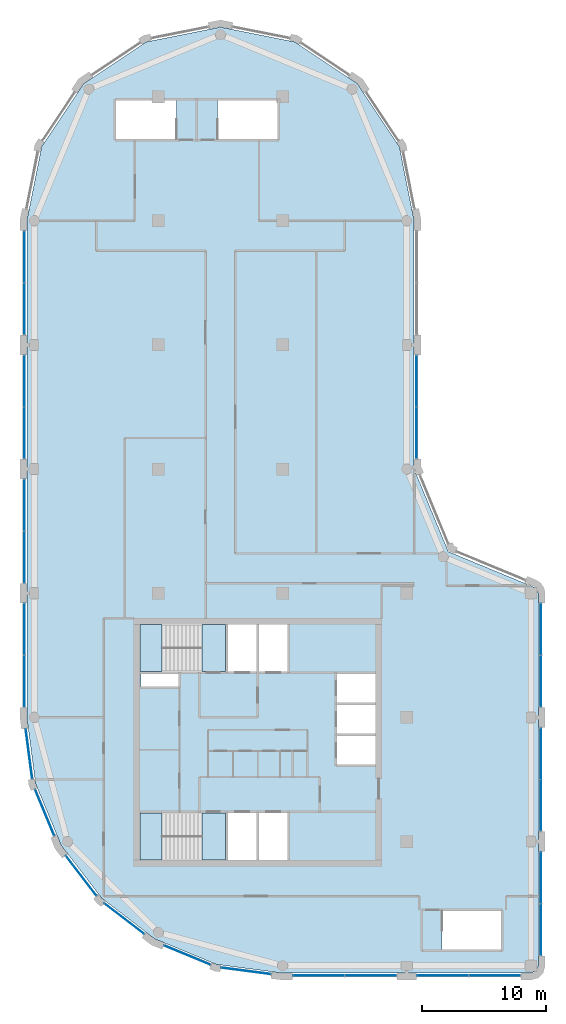
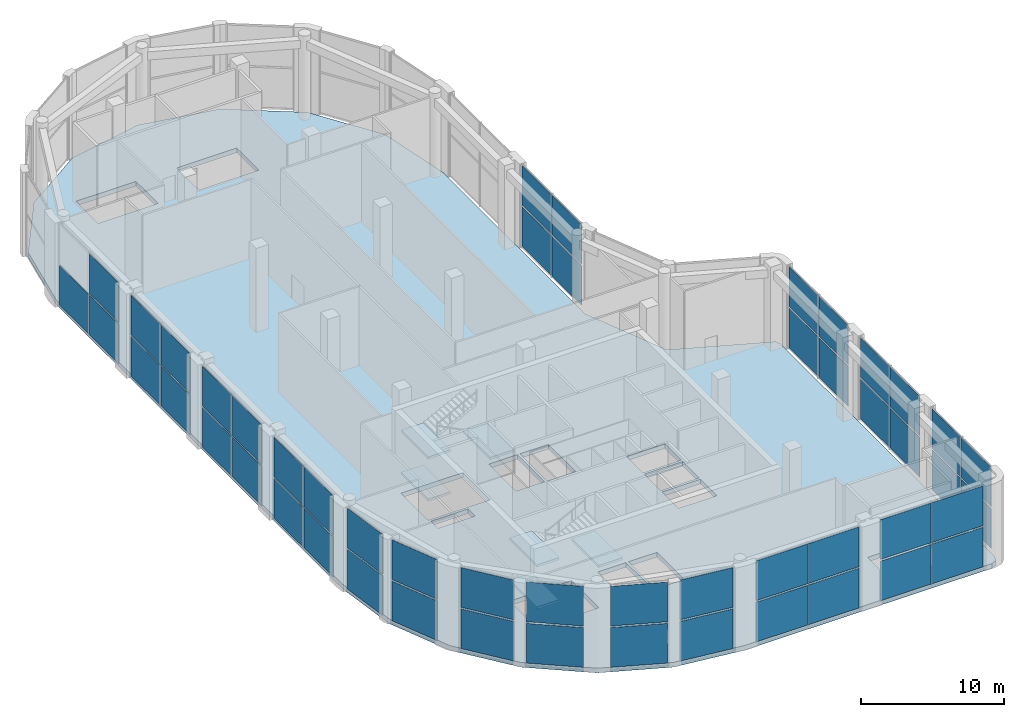
# One storey, part 9 of 14: 51 plates, 7 slabs, 18 elements without a shape of their own.
"""IFC4 building model written with IfcOpenShell, lengths in metres."""

import ifcopenshell
import ifcopenshell.guid

model = None  # the IFC model being written
_history = None  # IfcOwnerHistory: only IFC2X3 demands one
_inside = {}  # id of a spatial element -> (the spatial element, [elements in it])
_under = {}  # id of a project, library or spatial element -> (it, [spatial elements below it])
_declared = {}  # id of a project -> (the project, [libraries it declares])
_typed = {}  # id of a type object -> (the type object, [elements of that type])
_made_of = {}  # id of a material, layer set ... -> (it, [elements and type objects made of it])


def new_model(schema):
    """Start an empty IFC model of exactly this schema.

    Asked for "IFC4X3", IfcOpenShell would pick the latest addendum, in which some entities
    have other attributes; the version numbers below select the first issue.
    IFC2X3 requires an IfcOwnerHistory on every rooted entity: one is made here for all.
    """
    global model, _history
    if schema == "IFC4X3":
        model = ifcopenshell.file(schema_version=(4, 3, 0, 0))
    else:
        model = ifcopenshell.file(schema=schema)
    _inside.clear()
    _under.clear()
    _declared.clear()
    _typed.clear()
    _made_of.clear()
    _history = None
    if model.schema == "IFC2X3":
        org = make("IfcOrganization", Name="unknown")
        user = make(
            "IfcPersonAndOrganization",
            ThePerson=make("IfcPerson", FamilyName="unknown"),
            TheOrganization=org,
        )
        app = make(
            "IfcApplication",
            ApplicationDeveloper=org,
            Version="unknown",
            ApplicationFullName="unknown",
            ApplicationIdentifier="unknown",
        )
        _history = make(
            "IfcOwnerHistory",
            OwningUser=user,
            OwningApplication=app,
            ChangeAction="ADDED",
            CreationDate=0,
        )
    return model


def make(cls, **values):
    """One entity of the class cls with the attributes given. An attribute that is None is left unset."""
    return model.create_entity(
        cls, **{name: value for name, value in values.items() if value is not None}
    )


def rooted(cls, **values):
    """An entity with a GlobalId (a new one), such as an element, a storey or a relation."""
    return make(cls, GlobalId=ifcopenshell.guid.new(), OwnerHistory=_history, **values)


def si_unit(unit_type, name, prefix=None):
    """IfcSIUnit, for example si_unit("LENGTHUNIT", "METRE", prefix="MILLI")."""
    return make("IfcSIUnit", UnitType=unit_type, Prefix=prefix, Name=name)


def assignment(units):
    """IfcUnitAssignment: the units of a project."""
    return None if units is None else make("IfcUnitAssignment", Units=units)


def point(xyz):
    """IfcCartesianPoint."""
    return None if xyz is None else make("IfcCartesianPoint", Coordinates=xyz)


def direction(xyz):
    """IfcDirection."""
    return None if xyz is None else make("IfcDirection", DirectionRatios=xyz)


def frame(location, z_axis=None, x_axis=None):
    """IfcAxis2Placement3D, a coordinate frame: its origin and axes. An axis left out is left unset."""
    return make(
        "IfcAxis2Placement3D",
        Location=point(location),
        Axis=direction(z_axis),
        RefDirection=direction(x_axis),
    )


def frame_2d(location, x_axis=None):
    """IfcAxis2Placement2D, a coordinate frame in the plane: its origin and x axis."""
    return make(
        "IfcAxis2Placement2D", Location=point(location), RefDirection=direction(x_axis)
    )


def origin():
    """The frame at (0, 0, 0) with its axes left unset."""
    return frame((0.0, 0.0, 0.0))


def origin_2d():
    """The frame at (0, 0) in the plane with its x axis left unset."""
    return frame_2d((0.0, 0.0))


def place(relative_to, where):
    """IfcLocalPlacement: puts the frame where relative to a parent placement (None: the world)."""
    return make(
        "IfcLocalPlacement", PlacementRelTo=relative_to, RelativePlacement=where
    )


def context(
    kind, dimensions, precision=None, world=None, true_north=None, identifier=None
):
    """IfcGeometricRepresentationContext, for example the 3D "Model" context."""
    return make(
        "IfcGeometricRepresentationContext",
        ContextIdentifier=identifier,
        ContextType=kind,
        CoordinateSpaceDimension=dimensions,
        Precision=precision,
        WorldCoordinateSystem=world,
        TrueNorth=true_north,
    )


def subcontext(parent, identifier, kind, view, scale=None):
    """IfcGeometricRepresentationSubContext, for example "Body" below "Model"."""
    return make(
        "IfcGeometricRepresentationSubContext",
        ContextIdentifier=identifier,
        ContextType=kind,
        ParentContext=parent,
        TargetScale=scale,
        TargetView=view,
    )


def project(units=None, contexts=None):
    """IfcProject with its units and contexts."""
    return rooted(
        "IfcProject",
        Name="project",
        RepresentationContexts=contexts,
        UnitsInContext=assignment(units),
    )


def spatial(cls, under=None, at=None, **own):
    """A site, building, storey or space (cls), placed at a placement, below another one or the project."""
    s = rooted(cls, ObjectPlacement=at, **own)
    if under is not None:
        _under.setdefault(under.id(), (under, []))[1].append(s)
    return s


def polyline(points):
    """IfcPolyline through the points."""
    return make("IfcPolyline", Points=[point(p) for p in points])


def profile(cls, at=None, kind="AREA", **sizes):
    """A parametric profile (cls). Its sizes go by their IFC names, for example OverallWidth=200.0."""
    return make(cls, ProfileType=kind, Position=at, **sizes)


def rectangle(**sizes):
    """IfcRectangleProfileDef."""
    return profile("IfcRectangleProfileDef", **sizes)


def outline(outer, holes=None, kind="AREA"):
    """IfcArbitraryClosedProfileDef: a profile drawn as a closed curve; with holes, ...WithVoids."""
    if holes is None:
        return make("IfcArbitraryClosedProfileDef", ProfileType=kind, OuterCurve=outer)
    return make(
        "IfcArbitraryProfileDefWithVoids",
        ProfileType=kind,
        OuterCurve=outer,
        InnerCurves=holes,
    )


def extrude(swept, where, along, depth):
    """IfcExtrudedAreaSolid: the profile swept, set in the frame where, extruded along a direction by depth."""
    return make(
        "IfcExtrudedAreaSolid",
        SweptArea=swept,
        Position=where,
        ExtrudedDirection=direction(along),
        Depth=depth,
    )


def shape(context_of_items, identifier, shape_type, items):
    """IfcShapeRepresentation: the items that make up one representation, for example the "Body"."""
    return make(
        "IfcShapeRepresentation",
        ContextOfItems=context_of_items,
        RepresentationIdentifier=identifier,
        RepresentationType=shape_type,
        Items=items,
    )


def material(Name=None, Category=None):
    """IfcMaterial."""
    return make("IfcMaterial", Name=Name, Category=Category)


def layer(
    of_material, thickness, ventilated=None, Name=None, Category=None, Priority=None
):
    """IfcMaterialLayer: one layer of a wall or slab, of a material (None: an air gap)."""
    return make(
        "IfcMaterialLayer",
        Material=of_material,
        LayerThickness=thickness,
        IsVentilated=ventilated,
        Name=Name,
        Category=Category,
        Priority=Priority,
    )


def layer_set(layers, Name=None):
    """IfcMaterialLayerSet."""
    return make("IfcMaterialLayerSet", MaterialLayers=layers, LayerSetName=Name)


def made_of(thing, what):
    """Note that an element or type object is made of a material, layer set ...; save() writes the relation."""
    if what is not None:
        _made_of.setdefault(what.id(), (what, []))[1].append(thing)
    return thing


def type_object(cls, material=None, **own):
    """A type object (cls), such as IfcWallType, which elements share."""
    return made_of(rooted(cls, **own), material)


def element(
    cls,
    number,
    at=None,
    inside=None,
    cuts=None,
    type_object=None,
    material=None,
    context=None,
    identifier="Body",
    shape_type=None,
    held_by="IfcProductDefinitionShape",
    body=None,
    shapes=None,
    **own,
):
    """One element of the class cls, such as IfcWall. Its Tag is "e" and its number.

    at: its placement. inside: the storey or other place that contains it. cuts: it is an
    opening in that element (IfcRelVoidsElement). A single representation is given by context,
    identifier, shape_type and body (its items); several are given by shapes. held_by: the class
    of the entity that holds the representations. save() writes the other relations.
    """
    e = rooted(cls, Tag="e%d" % number, ObjectPlacement=at, **own)
    if body is not None:
        shapes = [shape(context, identifier, shape_type, body)]
    if shapes is not None:
        e.Representation = make(held_by, Representations=shapes)
    if inside is not None:
        _inside.setdefault(inside.id(), (inside, []))[1].append(e)
    if cuts is not None:
        rooted(
            "IfcRelVoidsElement", RelatingBuildingElement=cuts, RelatedOpeningElement=e
        )
    if type_object is not None:
        _typed.setdefault(type_object.id(), (type_object, []))[1].append(e)
    return made_of(e, material)


def aggregate(whole, parts):
    """IfcRelAggregates: a whole, such as a stair, and the parts it consists of."""
    return rooted("IfcRelAggregates", RelatingObject=whole, RelatedObjects=parts)


def save(model, path):
    """Write the relations noted so far, then the file.

    IfcRelAggregates (storeys below a building ...), IfcRelContainedInSpatialStructure (elements
    in a storey), IfcRelDefinesByType, IfcRelAssociatesMaterial and IfcRelDeclares: one each for
    every whole, place, type object, material and project.
    """
    for whole, parts in _under.values():
        aggregate(whole, parts)
    for where, things in _inside.values():
        rooted(
            "IfcRelContainedInSpatialStructure",
            RelatedElements=things,
            RelatingStructure=where,
        )
    for kind, things in _typed.values():
        rooted("IfcRelDefinesByType", RelatedObjects=things, RelatingType=kind)
    for what, things in _made_of.values():
        rooted("IfcRelAssociatesMaterial", RelatedObjects=things, RelatingMaterial=what)
    for by, libraries in _declared.values():
        rooted("IfcRelDeclares", RelatingContext=by, RelatedDefinitions=libraries)
    model.write(path)


model = new_model("IFC4")

# Units and contexts
model_context = context("Model", 3, precision=1e-05, world=origin(), true_north=direction((0.0, 1.0)))
body_context = subcontext(model_context, "Body", "Model", "MODEL_VIEW")
ifc_project = project(units=[si_unit("LENGTHUNIT", "METRE"), si_unit("AREAUNIT", "SQUARE_METRE"), si_unit("VOLUMEUNIT", "CUBIC_METRE"), si_unit("PLANEANGLEUNIT", "RADIAN"), si_unit("MASSUNIT", "GRAM", prefix="KILO")], contexts=[model_context])

# Site, building, storey
site_placement = place(None, origin())
site = spatial("IfcSite", under=ifc_project, at=site_placement, CompositionType="ELEMENT")
building_placement = place(site_placement, origin())
building = spatial("IfcBuilding", under=site, at=building_placement, Name="Qaws Garden Tower", CompositionType="ELEMENT")
storey_placement = place(building_placement, frame((0.0, 0.0, 358.199951171875)))
storey = spatial("IfcBuildingStorey", under=building, at=storey_placement, Name="L87", CompositionType="ELEMENT", Elevation=358.199951171875)

# Curtain wall, plates
ifc_material_1 = material(Name="Anodised aluminium curtain wall frame", Category="aluminium")
ifc_layer_1 = layer(ifc_material_1, 0.159912109375)
ifc_layer_set_1 = layer_set([ifc_layer_1], Name="Anodised aluminium curtain wall frame")
curtain_wall_type = type_object("IfcCurtainWallType", Name="CW3 observation glazing curtain wall", PredefinedType="NOTDEFINED", material=ifc_layer_set_1)
placement_1 = place(storey_placement, origin())
curtain_wall_1 = element("IfcCurtainWall", 1, at=placement_1, inside=storey, type_object=curtain_wall_type, Name="CW3 Observation glazing 00", PredefinedType="NOTDEFINED")
ifc_material_2 = material(Name="Clear laminated glass", Category="glass")
ifc_layer_2 = layer(ifc_material_2, 0.035888671875)
ifc_layer_set_2 = layer_set([ifc_layer_2], Name="Clear laminated glass")
plate_type = type_object("IfcPlateType", Name="CW3 glass panel 36", PredefinedType="CURTAIN_PANEL", material=ifc_layer_set_2)
plate_1_placement = place(storey_placement, frame((22.9150390625, -0.800048828125, 0.14013671875), z_axis=(0.0, 0.0, 1.0), x_axis=(1.0, 0.0, 0.0)))
plate_1 = element("IfcPlate", 2, at=plate_1_placement, type_object=plate_type, Name="CW3 panel 1.1", PredefinedType="CURTAIN_PANEL", context=body_context, shape_type="SweptSolid", body=[
    extrude(rectangle(XDim=4.110107421875, YDim=0.035888671875, at=origin_2d()), origin(), (0.0, 0.0, 1.0), 3.389892578125),
])
plate_2_placement = place(storey_placement, frame((22.9150390625, -0.800048828125, 3.669921875), z_axis=(0.0, 0.0, 1.0), x_axis=(1.0, 0.0, 0.0)))
plate_2 = element("IfcPlate", 3, at=plate_2_placement, type_object=plate_type, Name="CW3 panel 1.2", PredefinedType="CURTAIN_PANEL", context=body_context, shape_type="SweptSolid", body=[
    extrude(rectangle(XDim=4.110107421875, YDim=0.035888671875, at=origin_2d()), origin(), (0.0, 0.0, 1.0), 3.389892578125),
])
plate_3_placement = place(storey_placement, frame((27.0849609375, -0.800048828125, 0.14013671875), z_axis=(0.0, 0.0, 1.0), x_axis=(1.0, 0.0, 0.0)))
plate_3 = element("IfcPlate", 4, at=plate_3_placement, type_object=plate_type, Name="CW3 panel 2.1", PredefinedType="CURTAIN_PANEL", context=body_context, shape_type="SweptSolid", body=[
    extrude(rectangle(XDim=4.110107421875, YDim=0.035888671875, at=origin_2d()), origin(), (0.0, 0.0, 1.0), 3.389892578125),
])
plate_4_placement = place(storey_placement, frame((27.0849609375, -0.800048828125, 3.669921875), z_axis=(0.0, 0.0, 1.0), x_axis=(1.0, 0.0, 0.0)))
plate_4 = element("IfcPlate", 5, at=plate_4_placement, type_object=plate_type, Name="CW3 panel 2.2", PredefinedType="CURTAIN_PANEL", context=body_context, shape_type="SweptSolid", body=[
    extrude(rectangle(XDim=4.110107421875, YDim=0.035888671875, at=origin_2d()), origin(), (0.0, 0.0, 1.0), 3.389892578125),
])
aggregate(curtain_wall_1, [plate_1, plate_2, plate_3, plate_4])

curtain_wall_2 = element("IfcCurtainWall", 6, at=placement_1, inside=storey, type_object=curtain_wall_type, Name="CW3 Observation glazing 01", PredefinedType="NOTDEFINED")
plate_5_placement = place(storey_placement, frame((32.9150390625, -0.800048828125, 0.14013671875), z_axis=(0.0, 0.0, 1.0), x_axis=(1.0, 0.0, 0.0)))
plate_5 = element("IfcPlate", 7, at=plate_5_placement, type_object=plate_type, Name="CW3 panel 1.1", PredefinedType="CURTAIN_PANEL", context=body_context, shape_type="SweptSolid", body=[
    extrude(rectangle(XDim=4.110107421875, YDim=0.035888671875, at=origin_2d()), origin(), (0.0, 0.0, 1.0), 3.389892578125),
])
plate_6_placement = place(storey_placement, frame((32.9150390625, -0.800048828125, 3.669921875), z_axis=(0.0, 0.0, 1.0), x_axis=(1.0, 0.0, 0.0)))
plate_6 = element("IfcPlate", 8, at=plate_6_placement, type_object=plate_type, Name="CW3 panel 1.2", PredefinedType="CURTAIN_PANEL", context=body_context, shape_type="SweptSolid", body=[
    extrude(rectangle(XDim=4.110107421875, YDim=0.035888671875, at=origin_2d()), origin(), (0.0, 0.0, 1.0), 3.389892578125),
])
plate_7_placement = place(storey_placement, frame((37.0849609375, -0.800048828125, 0.14013671875), z_axis=(0.0, 0.0, 1.0), x_axis=(1.0, 0.0, 0.0)))
plate_7 = element("IfcPlate", 9, at=plate_7_placement, type_object=plate_type, Name="CW3 panel 2.1", PredefinedType="CURTAIN_PANEL", context=body_context, shape_type="SweptSolid", body=[
    extrude(rectangle(XDim=4.110107421875, YDim=0.035888671875, at=origin_2d()), origin(), (0.0, 0.0, 1.0), 3.389892578125),
])
plate_8_placement = place(storey_placement, frame((37.0849609375, -0.800048828125, 3.669921875), z_axis=(0.0, 0.0, 1.0), x_axis=(1.0, 0.0, 0.0)))
plate_8 = element("IfcPlate", 10, at=plate_8_placement, type_object=plate_type, Name="CW3 panel 2.2", PredefinedType="CURTAIN_PANEL", context=body_context, shape_type="SweptSolid", body=[
    extrude(rectangle(XDim=4.110107421875, YDim=0.035888671875, at=origin_2d()), origin(), (0.0, 0.0, 1.0), 3.389892578125),
])
aggregate(curtain_wall_2, [plate_5, plate_6, plate_7, plate_8])

curtain_wall_3 = element("IfcCurtainWall", 11, at=placement_1, inside=storey, type_object=curtain_wall_type, Name="CW3 Observation glazing 02", PredefinedType="NOTDEFINED")
plate_9_placement = place(storey_placement, frame((40.800048828125, 2.9150390625, 0.14013671875), z_axis=(0.0, 0.0, 1.0), x_axis=(0.0, 1.0, 0.0)))
plate_9 = element("IfcPlate", 12, at=plate_9_placement, type_object=plate_type, Name="CW3 panel 1.1", PredefinedType="CURTAIN_PANEL", context=body_context, shape_type="SweptSolid", body=[
    extrude(rectangle(XDim=4.110107421875, YDim=0.035888671875, at=origin_2d()), origin(), (0.0, 0.0, 1.0), 3.389892578125),
])
plate_10_placement = place(storey_placement, frame((40.800048828125, 2.9150390625, 3.669921875), z_axis=(0.0, 0.0, 1.0), x_axis=(0.0, 1.0, 0.0)))
plate_10 = element("IfcPlate", 13, at=plate_10_placement, type_object=plate_type, Name="CW3 panel 1.2", PredefinedType="CURTAIN_PANEL", context=body_context, shape_type="SweptSolid", body=[
    extrude(rectangle(XDim=4.110107421875, YDim=0.035888671875, at=origin_2d()), origin(), (0.0, 0.0, 1.0), 3.389892578125),
])
plate_11_placement = place(storey_placement, frame((40.800048828125, 7.0849609375, 0.14013671875), z_axis=(0.0, 0.0, 1.0), x_axis=(0.0, 1.0, 0.0)))
plate_11 = element("IfcPlate", 14, at=plate_11_placement, type_object=plate_type, Name="CW3 panel 2.1", PredefinedType="CURTAIN_PANEL", context=body_context, shape_type="SweptSolid", body=[
    extrude(rectangle(XDim=4.110107421875, YDim=0.035888671875, at=origin_2d()), origin(), (0.0, 0.0, 1.0), 3.389892578125),
])
plate_12_placement = place(storey_placement, frame((40.800048828125, 7.0849609375, 3.669921875), z_axis=(0.0, 0.0, 1.0), x_axis=(0.0, 1.0, 0.0)))
plate_12 = element("IfcPlate", 15, at=plate_12_placement, type_object=plate_type, Name="CW3 panel 2.2", PredefinedType="CURTAIN_PANEL", context=body_context, shape_type="SweptSolid", body=[
    extrude(rectangle(XDim=4.110107421875, YDim=0.035888671875, at=origin_2d()), origin(), (0.0, 0.0, 1.0), 3.389892578125),
])
aggregate(curtain_wall_3, [plate_9, plate_10, plate_11, plate_12])

curtain_wall_4 = element("IfcCurtainWall", 16, at=placement_1, inside=storey, type_object=curtain_wall_type, Name="CW3 Observation glazing 03", PredefinedType="NOTDEFINED")
plate_13_placement = place(storey_placement, frame((40.800048828125, 12.9150390625, 0.14013671875), z_axis=(0.0, 0.0, 1.0), x_axis=(0.0, 1.0, 0.0)))
plate_13 = element("IfcPlate", 17, at=plate_13_placement, type_object=plate_type, Name="CW3 panel 1.1", PredefinedType="CURTAIN_PANEL", context=body_context, shape_type="SweptSolid", body=[
    extrude(rectangle(XDim=4.110107421875, YDim=0.035888671875, at=origin_2d()), origin(), (0.0, 0.0, 1.0), 3.389892578125),
])
plate_14_placement = place(storey_placement, frame((40.800048828125, 12.9150390625, 3.669921875), z_axis=(0.0, 0.0, 1.0), x_axis=(0.0, 1.0, 0.0)))
plate_14 = element("IfcPlate", 18, at=plate_14_placement, type_object=plate_type, Name="CW3 panel 1.2", PredefinedType="CURTAIN_PANEL", context=body_context, shape_type="SweptSolid", body=[
    extrude(rectangle(XDim=4.110107421875, YDim=0.035888671875, at=origin_2d()), origin(), (0.0, 0.0, 1.0), 3.389892578125),
])
plate_15_placement = place(storey_placement, frame((40.800048828125, 17.0849609375, 0.14013671875), z_axis=(0.0, 0.0, 1.0), x_axis=(0.0, 1.0, 0.0)))
plate_15 = element("IfcPlate", 19, at=plate_15_placement, type_object=plate_type, Name="CW3 panel 2.1", PredefinedType="CURTAIN_PANEL", context=body_context, shape_type="SweptSolid", body=[
    extrude(rectangle(XDim=4.110107421875, YDim=0.035888671875, at=origin_2d()), origin(), (0.0, 0.0, 1.0), 3.389892578125),
])
plate_16_placement = place(storey_placement, frame((40.800048828125, 17.0849609375, 3.669921875), z_axis=(0.0, 0.0, 1.0), x_axis=(0.0, 1.0, 0.0)))
plate_16 = element("IfcPlate", 20, at=plate_16_placement, type_object=plate_type, Name="CW3 panel 2.2", PredefinedType="CURTAIN_PANEL", context=body_context, shape_type="SweptSolid", body=[
    extrude(rectangle(XDim=4.110107421875, YDim=0.035888671875, at=origin_2d()), origin(), (0.0, 0.0, 1.0), 3.389892578125),
])
aggregate(curtain_wall_4, [plate_13, plate_14, plate_15, plate_16])

curtain_wall_5 = element("IfcCurtainWall", 21, at=placement_1, inside=storey, type_object=curtain_wall_type, Name="CW3 Observation glazing 04", PredefinedType="NOTDEFINED")
plate_17_placement = place(storey_placement, frame((40.800048828125, 22.9150390625, 0.14013671875), z_axis=(0.0, 0.0, 1.0), x_axis=(0.0, 1.0, 0.0)))
plate_17 = element("IfcPlate", 22, at=plate_17_placement, type_object=plate_type, Name="CW3 panel 1.1", PredefinedType="CURTAIN_PANEL", context=body_context, shape_type="SweptSolid", body=[
    extrude(rectangle(XDim=4.110107421875, YDim=0.035888671875, at=origin_2d()), origin(), (0.0, 0.0, 1.0), 3.389892578125),
])
plate_18_placement = place(storey_placement, frame((40.800048828125, 22.9150390625, 3.669921875), z_axis=(0.0, 0.0, 1.0), x_axis=(0.0, 1.0, 0.0)))
plate_18 = element("IfcPlate", 23, at=plate_18_placement, type_object=plate_type, Name="CW3 panel 1.2", PredefinedType="CURTAIN_PANEL", context=body_context, shape_type="SweptSolid", body=[
    extrude(rectangle(XDim=4.110107421875, YDim=0.035888671875, at=origin_2d()), origin(), (0.0, 0.0, 1.0), 3.389892578125),
])
plate_19_placement = place(storey_placement, frame((40.800048828125, 27.0849609375, 0.14013671875), z_axis=(0.0, 0.0, 1.0), x_axis=(0.0, 1.0, 0.0)))
plate_19 = element("IfcPlate", 24, at=plate_19_placement, type_object=plate_type, Name="CW3 panel 2.1", PredefinedType="CURTAIN_PANEL", context=body_context, shape_type="SweptSolid", body=[
    extrude(rectangle(XDim=4.110107421875, YDim=0.035888671875, at=origin_2d()), origin(), (0.0, 0.0, 1.0), 3.389892578125),
])
plate_20_placement = place(storey_placement, frame((40.800048828125, 27.0849609375, 3.669921875), z_axis=(0.0, 0.0, 1.0), x_axis=(0.0, 1.0, 0.0)))
plate_20 = element("IfcPlate", 25, at=plate_20_placement, type_object=plate_type, Name="CW3 panel 2.2", PredefinedType="CURTAIN_PANEL", context=body_context, shape_type="SweptSolid", body=[
    extrude(rectangle(XDim=4.110107421875, YDim=0.035888671875, at=origin_2d()), origin(), (0.0, 0.0, 1.0), 3.389892578125),
])
aggregate(curtain_wall_5, [plate_17, plate_18, plate_19, plate_20])

curtain_wall_6 = element("IfcCurtainWall", 26, at=placement_1, inside=storey, type_object=curtain_wall_type, Name="CW3 Observation glazing 07", PredefinedType="NOTDEFINED")
plate_21_placement = place(storey_placement, frame((30.800048828125, 42.9150390625, 0.14013671875), z_axis=(0.0, 0.0, 1.0), x_axis=(0.0, 1.0, 0.0)))
plate_21 = element("IfcPlate", 27, at=plate_21_placement, type_object=plate_type, Name="CW3 panel 1.1", PredefinedType="CURTAIN_PANEL", context=body_context, shape_type="SweptSolid", body=[
    extrude(rectangle(XDim=4.110107421875, YDim=0.035888671875, at=origin_2d()), origin(), (0.0, 0.0, 1.0), 3.389892578125),
])
plate_22_placement = place(storey_placement, frame((30.800048828125, 42.9150390625, 3.669921875), z_axis=(0.0, 0.0, 1.0), x_axis=(0.0, 1.0, 0.0)))
plate_22 = element("IfcPlate", 28, at=plate_22_placement, type_object=plate_type, Name="CW3 panel 1.2", PredefinedType="CURTAIN_PANEL", context=body_context, shape_type="SweptSolid", body=[
    extrude(rectangle(XDim=4.110107421875, YDim=0.035888671875, at=origin_2d()), origin(), (0.0, 0.0, 1.0), 3.389892578125),
])
plate_23_placement = place(storey_placement, frame((30.800048828125, 47.0849609375, 0.14013671875), z_axis=(0.0, 0.0, 1.0), x_axis=(0.0, 1.0, 0.0)))
plate_23 = element("IfcPlate", 29, at=plate_23_placement, type_object=plate_type, Name="CW3 panel 2.1", PredefinedType="CURTAIN_PANEL", context=body_context, shape_type="SweptSolid", body=[
    extrude(rectangle(XDim=4.110107421875, YDim=0.035888671875, at=origin_2d()), origin(), (0.0, 0.0, 1.0), 3.389892578125),
])
plate_24_placement = place(storey_placement, frame((30.800048828125, 47.0849609375, 3.669921875), z_axis=(0.0, 0.0, 1.0), x_axis=(0.0, 1.0, 0.0)))
plate_24 = element("IfcPlate", 30, at=plate_24_placement, type_object=plate_type, Name="CW3 panel 2.2", PredefinedType="CURTAIN_PANEL", context=body_context, shape_type="SweptSolid", body=[
    extrude(rectangle(XDim=4.110107421875, YDim=0.035888671875, at=origin_2d()), origin(), (0.0, 0.0, 1.0), 3.389892578125),
])
aggregate(curtain_wall_6, [plate_21, plate_22, plate_23, plate_24])

curtain_wall_7 = element("IfcCurtainWall", 31, at=placement_1, inside=storey, type_object=curtain_wall_type, Name="CW3 Observation glazing 17", PredefinedType="NOTDEFINED")
plate_25_placement = place(storey_placement, frame((-0.800048828125, 57.0849609375, 0.14013671875), z_axis=(0.0, 0.0, 1.0), x_axis=(0.0, -1.0, 0.0)))
plate_25 = element("IfcPlate", 32, at=plate_25_placement, type_object=plate_type, Name="CW3 panel 1.1", PredefinedType="CURTAIN_PANEL", context=body_context, shape_type="SweptSolid", body=[
    extrude(rectangle(XDim=4.110107421875, YDim=0.035888671875, at=origin_2d()), origin(), (0.0, 0.0, 1.0), 3.389892578125),
])
plate_26_placement = place(storey_placement, frame((-0.800048828125, 52.9150390625, 0.14013671875), z_axis=(0.0, 0.0, 1.0), x_axis=(0.0, -1.0, 0.0)))
plate_26 = element("IfcPlate", 33, at=plate_26_placement, type_object=plate_type, Name="CW3 panel 2.1", PredefinedType="CURTAIN_PANEL", context=body_context, shape_type="SweptSolid", body=[
    extrude(rectangle(XDim=4.110107421875, YDim=0.035888671875, at=origin_2d()), origin(), (0.0, 0.0, 1.0), 3.389892578125),
])
plate_27_placement = place(storey_placement, frame((-0.800048828125, 52.9150390625, 3.669921875), z_axis=(0.0, 0.0, 1.0), x_axis=(0.0, -1.0, 0.0)))
plate_27 = element("IfcPlate", 34, at=plate_27_placement, type_object=plate_type, Name="CW3 panel 2.2", PredefinedType="CURTAIN_PANEL", context=body_context, shape_type="SweptSolid", body=[
    extrude(rectangle(XDim=4.110107421875, YDim=0.035888671875, at=origin_2d()), origin(), (0.0, 0.0, 1.0), 3.389892578125),
])
aggregate(curtain_wall_7, [plate_25, plate_26, plate_27])

curtain_wall_8 = element("IfcCurtainWall", 35, at=placement_1, inside=storey, type_object=curtain_wall_type, Name="CW3 Observation glazing 18", PredefinedType="NOTDEFINED")
plate_28_placement = place(storey_placement, frame((-0.800048828125, 47.0849609375, 0.14013671875), z_axis=(0.0, 0.0, 1.0), x_axis=(0.0, -1.0, 0.0)))
plate_28 = element("IfcPlate", 36, at=plate_28_placement, type_object=plate_type, Name="CW3 panel 1.1", PredefinedType="CURTAIN_PANEL", context=body_context, shape_type="SweptSolid", body=[
    extrude(rectangle(XDim=4.110107421875, YDim=0.035888671875, at=origin_2d()), origin(), (0.0, 0.0, 1.0), 3.389892578125),
])
plate_29_placement = place(storey_placement, frame((-0.800048828125, 47.0849609375, 3.669921875), z_axis=(0.0, 0.0, 1.0), x_axis=(0.0, -1.0, 0.0)))
plate_29 = element("IfcPlate", 37, at=plate_29_placement, type_object=plate_type, Name="CW3 panel 1.2", PredefinedType="CURTAIN_PANEL", context=body_context, shape_type="SweptSolid", body=[
    extrude(rectangle(XDim=4.110107421875, YDim=0.035888671875, at=origin_2d()), origin(), (0.0, 0.0, 1.0), 3.389892578125),
])
plate_30_placement = place(storey_placement, frame((-0.800048828125, 42.9150390625, 0.14013671875), z_axis=(0.0, 0.0, 1.0), x_axis=(0.0, -1.0, 0.0)))
plate_30 = element("IfcPlate", 38, at=plate_30_placement, type_object=plate_type, Name="CW3 panel 2.1", PredefinedType="CURTAIN_PANEL", context=body_context, shape_type="SweptSolid", body=[
    extrude(rectangle(XDim=4.110107421875, YDim=0.035888671875, at=origin_2d()), origin(), (0.0, 0.0, 1.0), 3.389892578125),
])
plate_31_placement = place(storey_placement, frame((-0.800048828125, 42.9150390625, 3.669921875), z_axis=(0.0, 0.0, 1.0), x_axis=(0.0, -1.0, 0.0)))
plate_31 = element("IfcPlate", 39, at=plate_31_placement, type_object=plate_type, Name="CW3 panel 2.2", PredefinedType="CURTAIN_PANEL", context=body_context, shape_type="SweptSolid", body=[
    extrude(rectangle(XDim=4.110107421875, YDim=0.035888671875, at=origin_2d()), origin(), (0.0, 0.0, 1.0), 3.389892578125),
])
aggregate(curtain_wall_8, [plate_28, plate_29, plate_30, plate_31])

curtain_wall_9 = element("IfcCurtainWall", 40, at=placement_1, inside=storey, type_object=curtain_wall_type, Name="CW3 Observation glazing 19", PredefinedType="NOTDEFINED")
plate_32_placement = place(storey_placement, frame((-0.800048828125, 37.0849609375, 0.14013671875), z_axis=(0.0, 0.0, 1.0), x_axis=(0.0, -1.0, 0.0)))
plate_32 = element("IfcPlate", 41, at=plate_32_placement, type_object=plate_type, Name="CW3 panel 1.1", PredefinedType="CURTAIN_PANEL", context=body_context, shape_type="SweptSolid", body=[
    extrude(rectangle(XDim=4.110107421875, YDim=0.035888671875, at=origin_2d()), origin(), (0.0, 0.0, 1.0), 3.389892578125),
])
plate_33_placement = place(storey_placement, frame((-0.800048828125, 37.0849609375, 3.669921875), z_axis=(0.0, 0.0, 1.0), x_axis=(0.0, -1.0, 0.0)))
plate_33 = element("IfcPlate", 42, at=plate_33_placement, type_object=plate_type, Name="CW3 panel 1.2", PredefinedType="CURTAIN_PANEL", context=body_context, shape_type="SweptSolid", body=[
    extrude(rectangle(XDim=4.110107421875, YDim=0.035888671875, at=origin_2d()), origin(), (0.0, 0.0, 1.0), 3.389892578125),
])
plate_34_placement = place(storey_placement, frame((-0.800048828125, 32.9150390625, 0.14013671875), z_axis=(0.0, 0.0, 1.0), x_axis=(0.0, -1.0, 0.0)))
plate_34 = element("IfcPlate", 43, at=plate_34_placement, type_object=plate_type, Name="CW3 panel 2.1", PredefinedType="CURTAIN_PANEL", context=body_context, shape_type="SweptSolid", body=[
    extrude(rectangle(XDim=4.110107421875, YDim=0.035888671875, at=origin_2d()), origin(), (0.0, 0.0, 1.0), 3.389892578125),
])
plate_35_placement = place(storey_placement, frame((-0.800048828125, 32.9150390625, 3.669921875), z_axis=(0.0, 0.0, 1.0), x_axis=(0.0, -1.0, 0.0)))
plate_35 = element("IfcPlate", 44, at=plate_35_placement, type_object=plate_type, Name="CW3 panel 2.2", PredefinedType="CURTAIN_PANEL", context=body_context, shape_type="SweptSolid", body=[
    extrude(rectangle(XDim=4.110107421875, YDim=0.035888671875, at=origin_2d()), origin(), (0.0, 0.0, 1.0), 3.389892578125),
])
aggregate(curtain_wall_9, [plate_32, plate_33, plate_34, plate_35])

curtain_wall_10 = element("IfcCurtainWall", 45, at=placement_1, inside=storey, type_object=curtain_wall_type, Name="CW3 Observation glazing 20", PredefinedType="NOTDEFINED")
plate_36_placement = place(storey_placement, frame((-0.800048828125, 27.0849609375, 0.14013671875), z_axis=(0.0, 0.0, 1.0), x_axis=(0.0, -1.0, 0.0)))
plate_36 = element("IfcPlate", 46, at=plate_36_placement, type_object=plate_type, Name="CW3 panel 1.1", PredefinedType="CURTAIN_PANEL", context=body_context, shape_type="SweptSolid", body=[
    extrude(rectangle(XDim=4.110107421875, YDim=0.035888671875, at=origin_2d()), origin(), (0.0, 0.0, 1.0), 3.389892578125),
])
plate_37_placement = place(storey_placement, frame((-0.800048828125, 27.0849609375, 3.669921875), z_axis=(0.0, 0.0, 1.0), x_axis=(0.0, -1.0, 0.0)))
plate_37 = element("IfcPlate", 47, at=plate_37_placement, type_object=plate_type, Name="CW3 panel 1.2", PredefinedType="CURTAIN_PANEL", context=body_context, shape_type="SweptSolid", body=[
    extrude(rectangle(XDim=4.110107421875, YDim=0.035888671875, at=origin_2d()), origin(), (0.0, 0.0, 1.0), 3.389892578125),
])
plate_38_placement = place(storey_placement, frame((-0.800048828125, 22.9150390625, 0.14013671875), z_axis=(0.0, 0.0, 1.0), x_axis=(0.0, -1.0, 0.0)))
plate_38 = element("IfcPlate", 48, at=plate_38_placement, type_object=plate_type, Name="CW3 panel 2.1", PredefinedType="CURTAIN_PANEL", context=body_context, shape_type="SweptSolid", body=[
    extrude(rectangle(XDim=4.110107421875, YDim=0.035888671875, at=origin_2d()), origin(), (0.0, 0.0, 1.0), 3.389892578125),
])
plate_39_placement = place(storey_placement, frame((-0.800048828125, 22.9150390625, 3.669921875), z_axis=(0.0, 0.0, 1.0), x_axis=(0.0, -1.0, 0.0)))
plate_39 = element("IfcPlate", 49, at=plate_39_placement, type_object=plate_type, Name="CW3 panel 2.2", PredefinedType="CURTAIN_PANEL", context=body_context, shape_type="SweptSolid", body=[
    extrude(rectangle(XDim=4.110107421875, YDim=0.035888671875, at=origin_2d()), origin(), (0.0, 0.0, 1.0), 3.389892578125),
])
aggregate(curtain_wall_10, [plate_36, plate_37, plate_38, plate_39])

curtain_wall_11 = element("IfcCurtainWall", 50, at=placement_1, inside=storey, type_object=curtain_wall_type, Name="CW3 Observation glazing 21", PredefinedType="NOTDEFINED")
plate_40_placement = place(storey_placement, frame((-0.419677734375, 17.0595703125, 0.14013671875), z_axis=(0.0, 0.0, 1.0), x_axis=(0.130526192047, -0.991444861397, 0.0)))
plate_40 = element("IfcPlate", 51, at=plate_40_placement, type_object=plate_type, Name="CW3 panel 1.1", PredefinedType="CURTAIN_PANEL", context=body_context, shape_type="SweptSolid", body=[
    extrude(rectangle(XDim=4.0009765625, YDim=0.035888671875, at=origin_2d()), origin(), (0.0, 0.0, 1.0), 3.389892578125),
])
plate_41_placement = place(storey_placement, frame((-0.419677734375, 17.0595703125, 3.669921875), z_axis=(0.0, 0.0, 1.0), x_axis=(0.130526192047, -0.991444861397, 0.0)))
plate_41 = element("IfcPlate", 52, at=plate_41_placement, type_object=plate_type, Name="CW3 panel 1.2", PredefinedType="CURTAIN_PANEL", context=body_context, shape_type="SweptSolid", body=[
    extrude(rectangle(XDim=4.0009765625, YDim=0.035888671875, at=origin_2d()), origin(), (0.0, 0.0, 1.0), 3.389892578125),
])
aggregate(curtain_wall_11, [plate_40, plate_41])

curtain_wall_12 = element("IfcCurtainWall", 53, at=placement_1, inside=storey, type_object=curtain_wall_type, Name="CW3 Observation glazing 22", PredefinedType="NOTDEFINED")
plate_42_placement = place(storey_placement, frame((0.845703125, 12.336669921875, 0.14013671875), z_axis=(0.0, 0.0, 1.0), x_axis=(0.382683432284, -0.923879532545, 0.0)))
plate_42 = element("IfcPlate", 54, at=plate_42_placement, type_object=plate_type, Name="CW3 panel 1.1", PredefinedType="CURTAIN_PANEL", context=body_context, shape_type="SweptSolid", body=[
    extrude(rectangle(XDim=4.0009765625, YDim=0.035888671875, at=origin_2d()), origin(), (0.0, 0.0, 1.0), 3.389892578125),
])
plate_43_placement = place(storey_placement, frame((0.845703125, 12.336669921875, 3.669921875), z_axis=(0.0, 0.0, 1.0), x_axis=(0.382683432284, -0.923879532545, 0.0)))
plate_43 = element("IfcPlate", 55, at=plate_43_placement, type_object=plate_type, Name="CW3 panel 1.2", PredefinedType="CURTAIN_PANEL", context=body_context, shape_type="SweptSolid", body=[
    extrude(rectangle(XDim=4.0009765625, YDim=0.035888671875, at=origin_2d()), origin(), (0.0, 0.0, 1.0), 3.389892578125),
])
aggregate(curtain_wall_12, [plate_42, plate_43])

curtain_wall_13 = element("IfcCurtainWall", 56, at=placement_1, inside=storey, type_object=curtain_wall_type, Name="CW3 Observation glazing 23", PredefinedType="NOTDEFINED")
plate_44_placement = place(storey_placement, frame((3.7861328125, 7.24365234375, 0.14013671875), z_axis=(0.0, 0.0, 1.0), x_axis=(0.608761428926, -0.793353340355, 0.0)))
plate_44 = element("IfcPlate", 57, at=plate_44_placement, type_object=plate_type, Name="CW3 panel 1.1", PredefinedType="CURTAIN_PANEL", context=body_context, shape_type="SweptSolid", body=[
    extrude(rectangle(XDim=4.0009765625, YDim=0.035888671875, at=origin_2d()), origin(), (0.0, 0.0, 1.0), 3.389892578125),
])
plate_45_placement = place(storey_placement, frame((3.7861328125, 7.24365234375, 3.669921875), z_axis=(0.0, 0.0, 1.0), x_axis=(0.608761428926, -0.793353340355, 0.0)))
plate_45 = element("IfcPlate", 58, at=plate_45_placement, type_object=plate_type, Name="CW3 panel 1.2", PredefinedType="CURTAIN_PANEL", context=body_context, shape_type="SweptSolid", body=[
    extrude(rectangle(XDim=4.0009765625, YDim=0.035888671875, at=origin_2d()), origin(), (0.0, 0.0, 1.0), 3.389892578125),
])
aggregate(curtain_wall_13, [plate_44, plate_45])

curtain_wall_14 = element("IfcCurtainWall", 59, at=placement_1, inside=storey, type_object=curtain_wall_type, Name="CW3 Observation glazing 24", PredefinedType="NOTDEFINED")
plate_46_placement = place(storey_placement, frame((7.24365234375, 3.7861328125, 0.14013671875), z_axis=(0.0, 0.0, 1.0), x_axis=(0.793353340355, -0.608761428926, 0.0)))
plate_46 = element("IfcPlate", 60, at=plate_46_placement, type_object=plate_type, Name="CW3 panel 1.1", PredefinedType="CURTAIN_PANEL", context=body_context, shape_type="SweptSolid", body=[
    extrude(rectangle(XDim=4.0009765625, YDim=0.035888671875, at=origin_2d()), origin(), (0.0, 0.0, 1.0), 3.389892578125),
])
plate_47_placement = place(storey_placement, frame((7.24365234375, 3.7861328125, 3.669921875), z_axis=(0.0, 0.0, 1.0), x_axis=(0.793353340355, -0.608761428926, 0.0)))
plate_47 = element("IfcPlate", 61, at=plate_47_placement, type_object=plate_type, Name="CW3 panel 1.2", PredefinedType="CURTAIN_PANEL", context=body_context, shape_type="SweptSolid", body=[
    extrude(rectangle(XDim=4.0009765625, YDim=0.035888671875, at=origin_2d()), origin(), (0.0, 0.0, 1.0), 3.389892578125),
])
aggregate(curtain_wall_14, [plate_46, plate_47])

curtain_wall_15 = element("IfcCurtainWall", 62, at=placement_1, inside=storey, type_object=curtain_wall_type, Name="CW3 Observation glazing 25", PredefinedType="NOTDEFINED")
plate_48_placement = place(storey_placement, frame((12.336669921875, 0.845703125, 0.14013671875), z_axis=(0.0, 0.0, 1.0), x_axis=(0.923879532545, -0.382683432284, 0.0)))
plate_48 = element("IfcPlate", 63, at=plate_48_placement, type_object=plate_type, Name="CW3 panel 1.1", PredefinedType="CURTAIN_PANEL", context=body_context, shape_type="SweptSolid", body=[
    extrude(rectangle(XDim=4.0009765625, YDim=0.035888671875, at=origin_2d()), origin(), (0.0, 0.0, 1.0), 3.389892578125),
])
plate_49_placement = place(storey_placement, frame((12.336669921875, 0.845703125, 3.669921875), z_axis=(0.0, 0.0, 1.0), x_axis=(0.923879532545, -0.382683432284, 0.0)))
plate_49 = element("IfcPlate", 64, at=plate_49_placement, type_object=plate_type, Name="CW3 panel 1.2", PredefinedType="CURTAIN_PANEL", context=body_context, shape_type="SweptSolid", body=[
    extrude(rectangle(XDim=4.0009765625, YDim=0.035888671875, at=origin_2d()), origin(), (0.0, 0.0, 1.0), 3.389892578125),
])
aggregate(curtain_wall_15, [plate_48, plate_49])

curtain_wall_16 = element("IfcCurtainWall", 65, at=placement_1, inside=storey, type_object=curtain_wall_type, Name="CW3 Observation glazing 26", PredefinedType="NOTDEFINED")
plate_50_placement = place(storey_placement, frame((17.0595703125, -0.419677734375, 0.14013671875), z_axis=(0.0, 0.0, 1.0), x_axis=(0.991444861397, -0.130526192047, 0.0)))
plate_50 = element("IfcPlate", 66, at=plate_50_placement, type_object=plate_type, Name="CW3 panel 1.1", PredefinedType="CURTAIN_PANEL", context=body_context, shape_type="SweptSolid", body=[
    extrude(rectangle(XDim=4.0009765625, YDim=0.035888671875, at=origin_2d()), origin(), (0.0, 0.0, 1.0), 3.389892578125),
])
plate_51_placement = place(storey_placement, frame((17.0595703125, -0.419677734375, 3.669921875), z_axis=(0.0, 0.0, 1.0), x_axis=(0.991444861397, -0.130526192047, 0.0)))
plate_51 = element("IfcPlate", 67, at=plate_51_placement, type_object=plate_type, Name="CW3 panel 1.2", PredefinedType="CURTAIN_PANEL", context=body_context, shape_type="SweptSolid", body=[
    extrude(rectangle(XDim=4.0009765625, YDim=0.035888671875, at=origin_2d()), origin(), (0.0, 0.0, 1.0), 3.389892578125),
])
aggregate(curtain_wall_16, [plate_50, plate_51])

# Slab
ifc_material_3 = material(Name="Concrete C45", Category="concrete")
ifc_layer_3 = layer(ifc_material_3, 0.39990234375)
ifc_layer_set_3 = layer_set([ifc_layer_3], Name="Concrete C45")
slab_type_1 = type_object("IfcSlabType", Name="Floor slab 400 C45", PredefinedType="FLOOR", material=ifc_layer_set_3)
slab_1_placement = place(storey_placement, frame((0.0, 0.0, -0.39990234375)))
element("IfcSlab", 68, at=slab_1_placement, inside=storey, type_object=slab_type_1, Name="Floor slab L87", PredefinedType="FLOOR", context=body_context, shape_type="SweptSolid", body=[
    extrude(outline(polyline([(0.101806640625, 14.668212890625), (-0.60009765625, 20.0), (-0.60009765625, 30.60009765625), (-0.60009765625, 60.0), (-0.60009765625, 60.0), (0.58740234375, 65.969970703125), (3.968994140625, 71.031005859375), (9.030029296875, 74.41259765625), (15.0, 75.60009765625), (20.969970703125, 74.41259765625), (26.031005859375, 71.031005859375), (29.41259765625, 65.969970703125), (30.60009765625, 60.0), (30.60009765625, 40.0), (33.353271484375, 33.353271484375), (40.0, 30.60009765625), (40.42431640625, 30.42431640625), (40.60009765625, 30.0), (40.60009765625, 0.0), (40.42431640625, -0.42431640625), (40.0, -0.60009765625), (30.60009765625, -0.60009765625), (20.0, -0.60009765625), (14.668212890625, 0.101806640625), (9.699951171875, 2.159912109375), (5.43359375, 5.43359375), (2.159912109375, 9.699951171875), (0.101806640625, 14.668212890625)]), holes=[polyline([(8.5, 12.300048828125), (8.5, 8.5), (13.49951171875, 8.5), (13.49951171875, 12.300048828125), (8.5, 12.300048828125)]), polyline([(17.89990234375, 12.300048828125), (15.60009765625, 12.300048828125), (15.60009765625, 8.5), (17.89990234375, 8.5), (17.89990234375, 12.300048828125)]), polyline([(11.60009765625, 23.5), (8.60009765625, 23.5), (8.60009765625, 22.5), (11.60009765625, 22.5), (11.60009765625, 23.5)]), polyline([(8.5, 27.5), (8.5, 23.699951171875), (13.49951171875, 23.699951171875), (13.49951171875, 27.5), (8.5, 27.5)]), polyline([(17.89990234375, 27.5), (15.60009765625, 27.5), (15.60009765625, 23.699951171875), (17.89990234375, 23.699951171875), (17.89990234375, 27.5)]), polyline([(11.449462890625, 69.699951171875), (6.60009765625, 69.699951171875), (6.60009765625, 66.60009765625), (11.449462890625, 66.60009765625), (11.449462890625, 69.699951171875)]), polyline([(14.75048828125, 69.699951171875), (14.75048828125, 66.60009765625), (19.60009765625, 66.60009765625), (19.60009765625, 69.699951171875), (14.75048828125, 69.699951171875)]), polyline([(37.60009765625, 4.39990234375), (32.8505859375, 4.39990234375), (32.8505859375, 1.300048828125), (37.60009765625, 1.300048828125), (37.60009765625, 4.39990234375)]), polyline([(20.39990234375, 12.300048828125), (18.10009765625, 12.300048828125), (18.10009765625, 8.5), (20.39990234375, 8.5), (20.39990234375, 12.300048828125)]), polyline([(27.5, 18.5), (24.39990234375, 18.5), (24.39990234375, 16.199951171875), (27.5, 16.199951171875), (27.5, 18.5)]), polyline([(27.5, 21.0), (24.39990234375, 21.0), (24.39990234375, 18.699951171875), (27.5, 18.699951171875), (27.5, 21.0)]), polyline([(27.5, 23.5), (24.39990234375, 23.5), (24.39990234375, 21.199951171875), (27.5, 21.199951171875), (27.5, 23.5)]), polyline([(20.39990234375, 27.5), (18.10009765625, 27.5), (18.10009765625, 23.699951171875), (20.39990234375, 23.699951171875), (20.39990234375, 27.5)])]), origin(), (0.0, 0.0, 1.0), 0.39990234375),
])

# Stair, slabs
ifc_material_4 = material(Name="Concrete C40", Category="concrete")
stair_type = type_object("IfcStairType", Name="Exit stair 1500", PredefinedType="HALF_TURN_STAIR", material=ifc_material_4)
stair_1 = element("IfcStair", 69, at=placement_1, inside=storey, type_object=stair_type, Name="Stair 1", PredefinedType="HALF_TURN_STAIR")
ifc_material_5 = material(Name="Concrete C40", Category="concrete")
ifc_layer_4 = layer(ifc_material_5, 0.199951171875)
ifc_layer_set_4 = layer_set([ifc_layer_4], Name="Concrete C40")
slab_type_2 = type_object("IfcSlabType", Name="Stair landing 200", PredefinedType="LANDING", material=ifc_layer_set_4)
placement_2 = place(storey_placement, frame((0.0, 0.0, 1.60009765625)))
slab_2 = element("IfcSlab", 70, at=placement_2, type_object=slab_type_2, Name="ST1 landing 1", PredefinedType="LANDING", context=body_context, shape_type="SweptSolid", body=[
    extrude(outline(polyline([(8.5, 8.5), (10.300048828125, 8.5), (10.300048828125, 12.300048828125), (8.5, 12.300048828125), (8.5, 8.5)])), origin(), (0.0, 0.0, 1.0), 0.199951171875),
])
placement_3 = place(storey_placement, frame((0.0, 0.0, 3.400146484375)))
slab_3 = element("IfcSlab", 71, at=placement_3, type_object=slab_type_2, Name="ST1 landing 2", PredefinedType="LANDING", context=body_context, shape_type="SweptSolid", body=[
    extrude(outline(polyline([(13.5, 8.5), (15.39990234375, 8.5), (15.39990234375, 12.300048828125), (13.5, 12.300048828125), (13.5, 8.5)])), origin(), (0.0, 0.0, 1.0), 0.199951171875),
])
placement_4 = place(storey_placement, frame((0.0, 0.0, 5.199951171875)))
slab_4 = element("IfcSlab", 72, at=placement_4, type_object=slab_type_2, Name="ST1 landing 3", PredefinedType="LANDING", context=body_context, shape_type="SweptSolid", body=[
    extrude(outline(polyline([(8.5, 8.5), (10.300048828125, 8.5), (10.300048828125, 12.300048828125), (8.5, 12.300048828125), (8.5, 8.5)])), origin(), (0.0, 0.0, 1.0), 0.2001953125),
])
aggregate(stair_1, [slab_2, slab_3, slab_4])

stair_2 = element("IfcStair", 73, at=placement_1, inside=storey, type_object=stair_type, Name="Stair 4", PredefinedType="HALF_TURN_STAIR")
slab_5 = element("IfcSlab", 74, at=placement_2, type_object=slab_type_2, Name="ST4 landing 1", PredefinedType="LANDING", context=body_context, shape_type="SweptSolid", body=[
    extrude(outline(polyline([(8.5, 23.699951171875), (10.300048828125, 23.699951171875), (10.300048828125, 27.5), (8.5, 27.5), (8.5, 23.699951171875)])), origin(), (0.0, 0.0, 1.0), 0.199951171875),
])
slab_6 = element("IfcSlab", 75, at=placement_3, type_object=slab_type_2, Name="ST4 landing 2", PredefinedType="LANDING", context=body_context, shape_type="SweptSolid", body=[
    extrude(outline(polyline([(13.5, 23.699951171875), (15.39990234375, 23.699951171875), (15.39990234375, 27.5), (13.5, 27.5), (13.5, 23.699951171875)])), origin(), (0.0, 0.0, 1.0), 0.199951171875),
])
slab_7 = element("IfcSlab", 76, at=placement_4, type_object=slab_type_2, Name="ST4 landing 3", PredefinedType="LANDING", context=body_context, shape_type="SweptSolid", body=[
    extrude(outline(polyline([(8.5, 23.699951171875), (10.300048828125, 23.699951171875), (10.300048828125, 27.5), (8.5, 27.5), (8.5, 23.699951171875)])), origin(), (0.0, 0.0, 1.0), 0.2001953125),
])
aggregate(stair_2, [slab_5, slab_6, slab_7])

save(model, "model.ifc")
